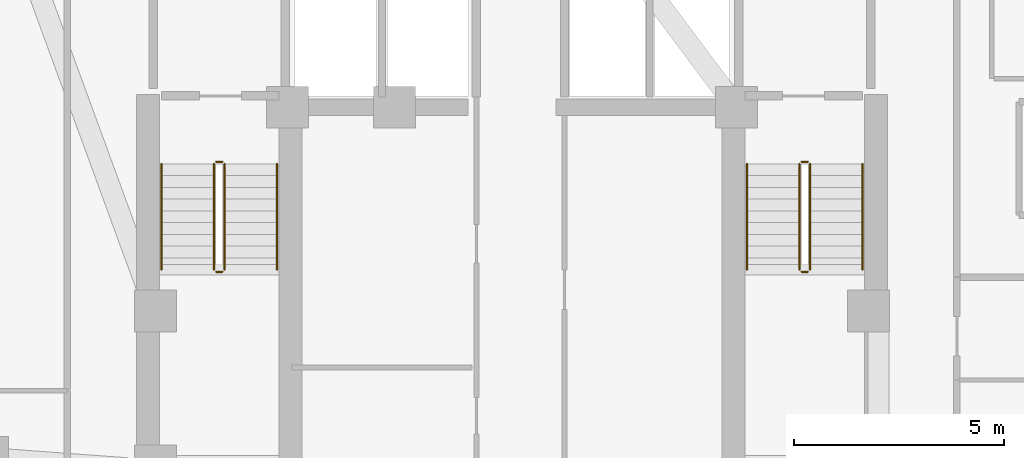
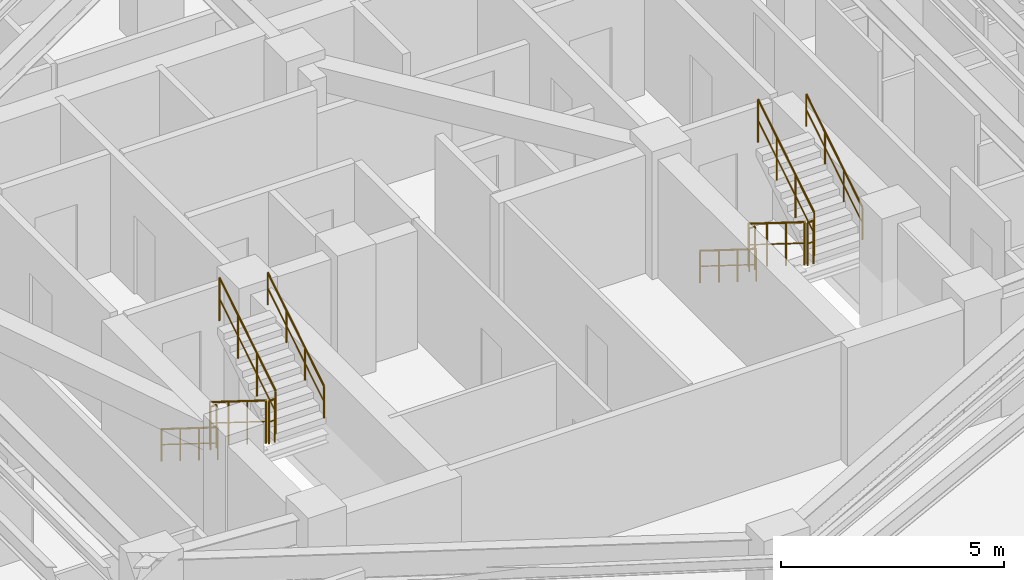
# One storey, part 10 of 10: 12 railings.
"""IFC4 building model written with IfcOpenShell, lengths in metres."""

import ifcopenshell
import ifcopenshell.guid

model = None  # the IFC model being written
_history = None  # IfcOwnerHistory: only IFC2X3 demands one
_inside = {}  # id of a spatial element -> (the spatial element, [elements in it])
_under = {}  # id of a project, library or spatial element -> (it, [spatial elements below it])
_declared = {}  # id of a project -> (the project, [libraries it declares])
_typed = {}  # id of a type object -> (the type object, [elements of that type])
_made_of = {}  # id of a material, layer set ... -> (it, [elements and type objects made of it])


def new_model(schema):
    """Start an empty IFC model of exactly this schema.

    Asked for "IFC4X3", IfcOpenShell would pick the latest addendum, in which some entities
    have other attributes; the version numbers below select the first issue.
    IFC2X3 requires an IfcOwnerHistory on every rooted entity: one is made here for all.
    """
    global model, _history
    if schema == "IFC4X3":
        model = ifcopenshell.file(schema_version=(4, 3, 0, 0))
    else:
        model = ifcopenshell.file(schema=schema)
    _inside.clear()
    _under.clear()
    _declared.clear()
    _typed.clear()
    _made_of.clear()
    _history = None
    if model.schema == "IFC2X3":
        org = make("IfcOrganization", Name="unknown")
        user = make(
            "IfcPersonAndOrganization",
            ThePerson=make("IfcPerson", FamilyName="unknown"),
            TheOrganization=org,
        )
        app = make(
            "IfcApplication",
            ApplicationDeveloper=org,
            Version="unknown",
            ApplicationFullName="unknown",
            ApplicationIdentifier="unknown",
        )
        _history = make(
            "IfcOwnerHistory",
            OwningUser=user,
            OwningApplication=app,
            ChangeAction="ADDED",
            CreationDate=0,
        )
    return model


def make(cls, **values):
    """One entity of the class cls with the attributes given. An attribute that is None is left unset."""
    return model.create_entity(
        cls, **{name: value for name, value in values.items() if value is not None}
    )


def rooted(cls, **values):
    """An entity with a GlobalId (a new one), such as an element, a storey or a relation."""
    return make(cls, GlobalId=ifcopenshell.guid.new(), OwnerHistory=_history, **values)


def si_unit(unit_type, name, prefix=None):
    """IfcSIUnit, for example si_unit("LENGTHUNIT", "METRE", prefix="MILLI")."""
    return make("IfcSIUnit", UnitType=unit_type, Prefix=prefix, Name=name)


def assignment(units):
    """IfcUnitAssignment: the units of a project."""
    return None if units is None else make("IfcUnitAssignment", Units=units)


def point(xyz):
    """IfcCartesianPoint."""
    return None if xyz is None else make("IfcCartesianPoint", Coordinates=xyz)


def direction(xyz):
    """IfcDirection."""
    return None if xyz is None else make("IfcDirection", DirectionRatios=xyz)


def frame(location, z_axis=None, x_axis=None):
    """IfcAxis2Placement3D, a coordinate frame: its origin and axes. An axis left out is left unset."""
    return make(
        "IfcAxis2Placement3D",
        Location=point(location),
        Axis=direction(z_axis),
        RefDirection=direction(x_axis),
    )


def frame_2d(location, x_axis=None):
    """IfcAxis2Placement2D, a coordinate frame in the plane: its origin and x axis."""
    return make(
        "IfcAxis2Placement2D", Location=point(location), RefDirection=direction(x_axis)
    )


def origin():
    """The frame at (0, 0, 0) with its axes left unset."""
    return frame((0.0, 0.0, 0.0))


def origin_2d():
    """The frame at (0, 0) in the plane with its x axis left unset."""
    return frame_2d((0.0, 0.0))


def place(relative_to, where):
    """IfcLocalPlacement: puts the frame where relative to a parent placement (None: the world)."""
    return make(
        "IfcLocalPlacement", PlacementRelTo=relative_to, RelativePlacement=where
    )


def context(
    kind, dimensions, precision=None, world=None, true_north=None, identifier=None
):
    """IfcGeometricRepresentationContext, for example the 3D "Model" context."""
    return make(
        "IfcGeometricRepresentationContext",
        ContextIdentifier=identifier,
        ContextType=kind,
        CoordinateSpaceDimension=dimensions,
        Precision=precision,
        WorldCoordinateSystem=world,
        TrueNorth=true_north,
    )


def subcontext(parent, identifier, kind, view, scale=None):
    """IfcGeometricRepresentationSubContext, for example "Body" below "Model"."""
    return make(
        "IfcGeometricRepresentationSubContext",
        ContextIdentifier=identifier,
        ContextType=kind,
        ParentContext=parent,
        TargetScale=scale,
        TargetView=view,
    )


def project(units=None, contexts=None):
    """IfcProject with its units and contexts."""
    return rooted(
        "IfcProject",
        Name="project",
        RepresentationContexts=contexts,
        UnitsInContext=assignment(units),
    )


def spatial(cls, under=None, at=None, **own):
    """A site, building, storey or space (cls), placed at a placement, below another one or the project."""
    s = rooted(cls, ObjectPlacement=at, **own)
    if under is not None:
        _under.setdefault(under.id(), (under, []))[1].append(s)
    return s


def profile(cls, at=None, kind="AREA", **sizes):
    """A parametric profile (cls). Its sizes go by their IFC names, for example OverallWidth=200.0."""
    return make(cls, ProfileType=kind, Position=at, **sizes)


def circle(**sizes):
    """IfcCircleProfileDef."""
    return profile("IfcCircleProfileDef", **sizes)


def extrude(swept, where, along, depth):
    """IfcExtrudedAreaSolid: the profile swept, set in the frame where, extruded along a direction by depth."""
    return make(
        "IfcExtrudedAreaSolid",
        SweptArea=swept,
        Position=where,
        ExtrudedDirection=direction(along),
        Depth=depth,
    )


def shape(context_of_items, identifier, shape_type, items):
    """IfcShapeRepresentation: the items that make up one representation, for example the "Body"."""
    return make(
        "IfcShapeRepresentation",
        ContextOfItems=context_of_items,
        RepresentationIdentifier=identifier,
        RepresentationType=shape_type,
        Items=items,
    )


def material(Name=None, Category=None):
    """IfcMaterial."""
    return make("IfcMaterial", Name=Name, Category=Category)


def made_of(thing, what):
    """Note that an element or type object is made of a material, layer set ...; save() writes the relation."""
    if what is not None:
        _made_of.setdefault(what.id(), (what, []))[1].append(thing)
    return thing


def type_object(cls, material=None, **own):
    """A type object (cls), such as IfcWallType, which elements share."""
    return made_of(rooted(cls, **own), material)


def element(
    cls,
    number,
    at=None,
    inside=None,
    cuts=None,
    type_object=None,
    material=None,
    context=None,
    identifier="Body",
    shape_type=None,
    held_by="IfcProductDefinitionShape",
    body=None,
    shapes=None,
    **own,
):
    """One element of the class cls, such as IfcWall. Its Tag is "e" and its number.

    at: its placement. inside: the storey or other place that contains it. cuts: it is an
    opening in that element (IfcRelVoidsElement). A single representation is given by context,
    identifier, shape_type and body (its items); several are given by shapes. held_by: the class
    of the entity that holds the representations. save() writes the other relations.
    """
    e = rooted(cls, Tag="e%d" % number, ObjectPlacement=at, **own)
    if body is not None:
        shapes = [shape(context, identifier, shape_type, body)]
    if shapes is not None:
        e.Representation = make(held_by, Representations=shapes)
    if inside is not None:
        _inside.setdefault(inside.id(), (inside, []))[1].append(e)
    if cuts is not None:
        rooted(
            "IfcRelVoidsElement", RelatingBuildingElement=cuts, RelatedOpeningElement=e
        )
    if type_object is not None:
        _typed.setdefault(type_object.id(), (type_object, []))[1].append(e)
    return made_of(e, material)


def aggregate(whole, parts):
    """IfcRelAggregates: a whole, such as a stair, and the parts it consists of."""
    return rooted("IfcRelAggregates", RelatingObject=whole, RelatedObjects=parts)


def save(model, path):
    """Write the relations noted so far, then the file.

    IfcRelAggregates (storeys below a building ...), IfcRelContainedInSpatialStructure (elements
    in a storey), IfcRelDefinesByType, IfcRelAssociatesMaterial and IfcRelDeclares: one each for
    every whole, place, type object, material and project.
    """
    for whole, parts in _under.values():
        aggregate(whole, parts)
    for where, things in _inside.values():
        rooted(
            "IfcRelContainedInSpatialStructure",
            RelatedElements=things,
            RelatingStructure=where,
        )
    for kind, things in _typed.values():
        rooted("IfcRelDefinesByType", RelatedObjects=things, RelatingType=kind)
    for what, things in _made_of.values():
        rooted("IfcRelAssociatesMaterial", RelatedObjects=things, RelatingMaterial=what)
    for by, libraries in _declared.values():
        rooted("IfcRelDeclares", RelatingContext=by, RelatedDefinitions=libraries)
    model.write(path)


model = new_model("IFC4")

# Units and contexts
model_context = context("Model", 3, precision=1e-05, world=origin(), true_north=direction((0.0, 1.0)))
body_context = subcontext(model_context, "Body", "Model", "MODEL_VIEW")
ifc_project = project(units=[si_unit("LENGTHUNIT", "METRE"), si_unit("AREAUNIT", "SQUARE_METRE"), si_unit("VOLUMEUNIT", "CUBIC_METRE"), si_unit("PLANEANGLEUNIT", "RADIAN"), si_unit("MASSUNIT", "GRAM", prefix="KILO")], contexts=[model_context])

# Site, building, storey
site_placement = place(None, origin())
site = spatial("IfcSite", under=ifc_project, at=site_placement, CompositionType="ELEMENT")
building_placement = place(site_placement, origin())
building = spatial("IfcBuilding", under=site, at=building_placement, Name="Miruveldt Soraemaru", CompositionType="ELEMENT")
storey_placement = place(building_placement, frame((0.0, 0.0, 121.39990234375)))
storey = spatial("IfcBuildingStorey", under=building, at=storey_placement, Name="L33", CompositionType="ELEMENT", Elevation=121.39990234375)

# Railings
ifc_material = material(Name="Steel S355 (355 MPa)", Category="steel")
railing_type_1 = type_object("IfcRailingType", Name="RAIL-HR-900", PredefinedType="HANDRAIL", material=ifc_material)
railing_1_placement = place(storey_placement, frame((35.64990234375, 42.699951171875, 0.175048828125)))
element("IfcRailing", 1, at=railing_1_placement, inside=storey, type_object=railing_type_1, Name="L33 ST-1 stair handrail 1", PredefinedType="HANDRAIL", context=body_context, shape_type="SweptSolid", body=[
    extrude(circle(Radius=0.02392578125, at=origin_2d()), frame((0.0, 0.0, 0.8759765625), z_axis=(0.0, -0.848007534815, 0.529984170421), x_axis=(1.0, 0.0, 0.0)), (0.0, 0.0, 1.0), 2.9716796875),
    extrude(circle(Radius=0.01611328125, at=origin_2d()), frame((0.0, 0.0, 0.449951171875), z_axis=(0.0, -0.848007534815, 0.529984170421), x_axis=(1.0, 0.0, 0.0)), (0.0, 0.0, 1.0), 2.9716796875),
    extrude(circle(Radius=0.02099609375, at=origin_2d()), origin(), (0.0, 0.0, 1.0), 0.851806640625),
    extrude(circle(Radius=0.02099609375, at=origin_2d()), frame((0.0, -0.840087890625, 0.52490234375)), (0.0, 0.0, 1.0), 0.851806640625),
    extrude(circle(Radius=0.02099609375, at=origin_2d()), frame((0.0, -1.679931640625, 1.050048828125)), (0.0, 0.0, 1.0), 0.851806640625),
    extrude(circle(Radius=0.02099609375, at=origin_2d()), frame((0.0, -2.52001953125, 1.574951171875)), (0.0, 0.0, 1.0), 0.851806640625),
])
railing_2_placement = place(storey_placement, frame((38.39990234375, 40.179931640625, 1.925048828125)))
element("IfcRailing", 2, at=railing_2_placement, inside=storey, type_object=railing_type_1, Name="L33 ST-1 stair handrail 2", PredefinedType="HANDRAIL", context=body_context, shape_type="SweptSolid", body=[
    extrude(circle(Radius=0.02392578125, at=origin_2d()), frame((0.0, 0.0, 0.8759765625), z_axis=(0.0, 0.848007534815, 0.529984170421), x_axis=(-1.0, 0.0, 0.0)), (0.0, 0.0, 1.0), 2.9716796875),
    extrude(circle(Radius=0.01611328125, at=origin_2d()), frame((0.0, 0.0, 0.449951171875), z_axis=(0.0, 0.848007534815, 0.529984170421), x_axis=(-1.0, 0.0, 0.0)), (0.0, 0.0, 1.0), 2.9716796875),
    extrude(circle(Radius=0.02099609375, at=origin_2d()), origin(), (0.0, 0.0, 1.0), 0.851806640625),
    extrude(circle(Radius=0.02099609375, at=origin_2d()), frame((0.0, 0.840087890625, 0.52490234375)), (0.0, 0.0, 1.0), 0.851806640625),
    extrude(circle(Radius=0.02099609375, at=origin_2d()), frame((0.0, 1.679931640625, 1.050048828125)), (0.0, 0.0, 1.0), 0.851806640625),
    extrude(circle(Radius=0.02099609375, at=origin_2d()), frame((0.0, 2.52001953125, 1.574951171875)), (0.0, 0.0, 1.0), 0.851806640625),
])
railing_3_placement = place(storey_placement, frame((49.60009765625, 42.699951171875, 0.175048828125)))
element("IfcRailing", 3, at=railing_3_placement, inside=storey, type_object=railing_type_1, Name="L33 ST-2 stair handrail 1", PredefinedType="HANDRAIL", context=body_context, shape_type="SweptSolid", body=[
    extrude(circle(Radius=0.02392578125, at=origin_2d()), frame((0.0, 0.0, 0.8759765625), z_axis=(0.0, -0.848007534815, 0.529984170421), x_axis=(1.0, 0.0, 0.0)), (0.0, 0.0, 1.0), 2.9716796875),
    extrude(circle(Radius=0.01611328125, at=origin_2d()), frame((0.0, 0.0, 0.449951171875), z_axis=(0.0, -0.848007534815, 0.529984170421), x_axis=(1.0, 0.0, 0.0)), (0.0, 0.0, 1.0), 2.9716796875),
    extrude(circle(Radius=0.02099609375, at=origin_2d()), origin(), (0.0, 0.0, 1.0), 0.851806640625),
    extrude(circle(Radius=0.02099609375, at=origin_2d()), frame((0.0, -0.840087890625, 0.52490234375)), (0.0, 0.0, 1.0), 0.851806640625),
    extrude(circle(Radius=0.02099609375, at=origin_2d()), frame((0.0, -1.679931640625, 1.050048828125)), (0.0, 0.0, 1.0), 0.851806640625),
    extrude(circle(Radius=0.02099609375, at=origin_2d()), frame((0.0, -2.52001953125, 1.574951171875)), (0.0, 0.0, 1.0), 0.851806640625),
])
railing_4_placement = place(storey_placement, frame((52.35009765625, 40.179931640625, 1.925048828125)))
element("IfcRailing", 4, at=railing_4_placement, inside=storey, type_object=railing_type_1, Name="L33 ST-2 stair handrail 2", PredefinedType="HANDRAIL", context=body_context, shape_type="SweptSolid", body=[
    extrude(circle(Radius=0.02392578125, at=origin_2d()), frame((0.0, 0.0, 0.8759765625), z_axis=(0.0, 0.848007534815, 0.529984170421), x_axis=(-1.0, 0.0, 0.0)), (0.0, 0.0, 1.0), 2.9716796875),
    extrude(circle(Radius=0.01611328125, at=origin_2d()), frame((0.0, 0.0, 0.449951171875), z_axis=(0.0, 0.848007534815, 0.529984170421), x_axis=(-1.0, 0.0, 0.0)), (0.0, 0.0, 1.0), 2.9716796875),
    extrude(circle(Radius=0.02099609375, at=origin_2d()), origin(), (0.0, 0.0, 1.0), 0.851806640625),
    extrude(circle(Radius=0.02099609375, at=origin_2d()), frame((0.0, 0.840087890625, 0.52490234375)), (0.0, 0.0, 1.0), 0.851806640625),
    extrude(circle(Radius=0.02099609375, at=origin_2d()), frame((0.0, 1.679931640625, 1.050048828125)), (0.0, 0.0, 1.0), 0.851806640625),
    extrude(circle(Radius=0.02099609375, at=origin_2d()), frame((0.0, 2.52001953125, 1.574951171875)), (0.0, 0.0, 1.0), 0.851806640625),
])
railing_type_2 = type_object("IfcRailingType", Name="RAIL-STGUARD-1200", PredefinedType="GUARDRAIL", material=ifc_material)
railing_5_placement = place(storey_placement, frame((36.89990234375, 42.699951171875, 0.175048828125)))
element("IfcRailing", 5, at=railing_5_placement, inside=storey, type_object=railing_type_2, Name="L33 ST-1 stair guard 1", PredefinedType="GUARDRAIL", context=body_context, shape_type="SweptSolid", body=[
    extrude(circle(Radius=0.02392578125, at=origin_2d()), frame((0.0, 0.0, 1.17578125), z_axis=(0.0, -0.848007534815, 0.529984170421), x_axis=(1.0, 0.0, 0.0)), (0.0, 0.0, 1.0), 2.9716796875),
    extrude(circle(Radius=0.01611328125, at=origin_2d()), frame((0.0, 0.0, 0.60009765625), z_axis=(0.0, -0.848007534815, 0.529984170421), x_axis=(1.0, 0.0, 0.0)), (0.0, 0.0, 1.0), 2.9716796875),
    extrude(circle(Radius=0.02099609375, at=origin_2d()), origin(), (0.0, 0.0, 1.0), 1.15185546875),
    extrude(circle(Radius=0.02099609375, at=origin_2d()), frame((0.0, -0.840087890625, 0.52490234375)), (0.0, 0.0, 1.0), 1.15185546875),
    extrude(circle(Radius=0.02099609375, at=origin_2d()), frame((0.0, -1.679931640625, 1.050048828125)), (0.0, 0.0, 1.0), 1.15185546875),
    extrude(circle(Radius=0.02099609375, at=origin_2d()), frame((0.0, -2.52001953125, 1.574951171875)), (0.0, 0.0, 1.0), 1.15185546875),
])
railing_6_placement = place(storey_placement, frame((36.949951171875, 40.1298828125, 1.75)))
element("IfcRailing", 6, at=railing_6_placement, inside=storey, type_object=railing_type_2, Name="L33 ST-1 stair guard 2", PredefinedType="GUARDRAIL", context=body_context, shape_type="SweptSolid", body=[
    extrude(circle(Radius=0.02392578125, at=origin_2d()), frame((0.0, 0.0, 1.17578125), z_axis=(1.0, 0.0, 0.0), x_axis=(0.0, 1.0, 0.0)), (0.0, 0.0, 1.0), 0.150146484375),
    extrude(circle(Radius=0.01611328125, at=origin_2d()), frame((0.0, 0.0, 0.60009765625), z_axis=(1.0, 0.0, 0.0), x_axis=(0.0, 1.0, 0.0)), (0.0, 0.0, 1.0), 0.150146484375),
    extrude(circle(Radius=0.02099609375, at=origin_2d()), origin(), (0.0, 0.0, 1.0), 1.15185546875),
    extrude(circle(Radius=0.02099609375, at=origin_2d()), frame((0.150146484375, 0.0, 0.0)), (0.0, 0.0, 1.0), 1.15185546875),
])
railing_7_placement = place(storey_placement, frame((37.14990234375, 40.179931640625, 1.925048828125)))
element("IfcRailing", 7, at=railing_7_placement, inside=storey, type_object=railing_type_2, Name="L33 ST-1 stair guard 3", PredefinedType="GUARDRAIL", context=body_context, shape_type="SweptSolid", body=[
    extrude(circle(Radius=0.02392578125, at=origin_2d()), frame((0.0, 0.0, 1.17578125), z_axis=(0.0, 0.848007534815, 0.529984170421), x_axis=(-1.0, 0.0, 0.0)), (0.0, 0.0, 1.0), 2.9716796875),
    extrude(circle(Radius=0.01611328125, at=origin_2d()), frame((0.0, 0.0, 0.60009765625), z_axis=(0.0, 0.848007534815, 0.529984170421), x_axis=(-1.0, 0.0, 0.0)), (0.0, 0.0, 1.0), 2.9716796875),
    extrude(circle(Radius=0.02099609375, at=origin_2d()), origin(), (0.0, 0.0, 1.0), 1.15185546875),
    extrude(circle(Radius=0.02099609375, at=origin_2d()), frame((0.0, 0.840087890625, 0.52490234375)), (0.0, 0.0, 1.0), 1.15185546875),
    extrude(circle(Radius=0.02099609375, at=origin_2d()), frame((0.0, 1.679931640625, 1.050048828125)), (0.0, 0.0, 1.0), 1.15185546875),
    extrude(circle(Radius=0.02099609375, at=origin_2d()), frame((0.0, 2.52001953125, 1.574951171875)), (0.0, 0.0, 1.0), 1.15185546875),
])
railing_8_placement = place(storey_placement, frame((36.949951171875, 42.75, 0.0)))
element("IfcRailing", 8, at=railing_8_placement, inside=storey, type_object=railing_type_2, Name="L33 ST-1 stair guard 4", PredefinedType="GUARDRAIL", context=body_context, shape_type="SweptSolid", body=[
    extrude(circle(Radius=0.02392578125, at=origin_2d()), frame((0.0, 0.0, 1.17578125), z_axis=(1.0, 0.0, 0.0), x_axis=(0.0, 1.0, 0.0)), (0.0, 0.0, 1.0), 0.150146484375),
    extrude(circle(Radius=0.01611328125, at=origin_2d()), frame((0.0, 0.0, 0.60009765625), z_axis=(1.0, 0.0, 0.0), x_axis=(0.0, 1.0, 0.0)), (0.0, 0.0, 1.0), 0.150146484375),
    extrude(circle(Radius=0.02099609375, at=origin_2d()), origin(), (0.0, 0.0, 1.0), 1.15185546875),
    extrude(circle(Radius=0.02099609375, at=origin_2d()), frame((0.150146484375, 0.0, 0.0)), (0.0, 0.0, 1.0), 1.15185546875),
])
railing_9_placement = place(storey_placement, frame((50.85009765625, 42.699951171875, 0.175048828125)))
element("IfcRailing", 9, at=railing_9_placement, inside=storey, type_object=railing_type_2, Name="L33 ST-2 stair guard 1", PredefinedType="GUARDRAIL", context=body_context, shape_type="SweptSolid", body=[
    extrude(circle(Radius=0.02392578125, at=origin_2d()), frame((0.0, 0.0, 1.17578125), z_axis=(0.0, -0.848007534815, 0.529984170421), x_axis=(1.0, 0.0, 0.0)), (0.0, 0.0, 1.0), 2.9716796875),
    extrude(circle(Radius=0.01611328125, at=origin_2d()), frame((0.0, 0.0, 0.60009765625), z_axis=(0.0, -0.848007534815, 0.529984170421), x_axis=(1.0, 0.0, 0.0)), (0.0, 0.0, 1.0), 2.9716796875),
    extrude(circle(Radius=0.02099609375, at=origin_2d()), origin(), (0.0, 0.0, 1.0), 1.15185546875),
    extrude(circle(Radius=0.02099609375, at=origin_2d()), frame((0.0, -0.840087890625, 0.52490234375)), (0.0, 0.0, 1.0), 1.15185546875),
    extrude(circle(Radius=0.02099609375, at=origin_2d()), frame((0.0, -1.679931640625, 1.050048828125)), (0.0, 0.0, 1.0), 1.15185546875),
    extrude(circle(Radius=0.02099609375, at=origin_2d()), frame((0.0, -2.52001953125, 1.574951171875)), (0.0, 0.0, 1.0), 1.15185546875),
])
railing_10_placement = place(storey_placement, frame((50.89990234375, 40.1298828125, 1.75)))
element("IfcRailing", 10, at=railing_10_placement, inside=storey, type_object=railing_type_2, Name="L33 ST-2 stair guard 2", PredefinedType="GUARDRAIL", context=body_context, shape_type="SweptSolid", body=[
    extrude(circle(Radius=0.02392578125, at=origin_2d()), frame((0.0, 0.0, 1.17578125), z_axis=(1.0, 0.0, 0.0), x_axis=(0.0, 1.0, 0.0)), (0.0, 0.0, 1.0), 0.150146484375),
    extrude(circle(Radius=0.01611328125, at=origin_2d()), frame((0.0, 0.0, 0.60009765625), z_axis=(1.0, 0.0, 0.0), x_axis=(0.0, 1.0, 0.0)), (0.0, 0.0, 1.0), 0.150146484375),
    extrude(circle(Radius=0.02099609375, at=origin_2d()), origin(), (0.0, 0.0, 1.0), 1.15185546875),
    extrude(circle(Radius=0.02099609375, at=origin_2d()), frame((0.150146484375, 0.0, 0.0)), (0.0, 0.0, 1.0), 1.15185546875),
])
railing_11_placement = place(storey_placement, frame((51.10009765625, 40.179931640625, 1.925048828125)))
element("IfcRailing", 11, at=railing_11_placement, inside=storey, type_object=railing_type_2, Name="L33 ST-2 stair guard 3", PredefinedType="GUARDRAIL", context=body_context, shape_type="SweptSolid", body=[
    extrude(circle(Radius=0.02392578125, at=origin_2d()), frame((0.0, 0.0, 1.17578125), z_axis=(0.0, 0.848007534815, 0.529984170421), x_axis=(-1.0, 0.0, 0.0)), (0.0, 0.0, 1.0), 2.9716796875),
    extrude(circle(Radius=0.01611328125, at=origin_2d()), frame((0.0, 0.0, 0.60009765625), z_axis=(0.0, 0.848007534815, 0.529984170421), x_axis=(-1.0, 0.0, 0.0)), (0.0, 0.0, 1.0), 2.9716796875),
    extrude(circle(Radius=0.02099609375, at=origin_2d()), origin(), (0.0, 0.0, 1.0), 1.15185546875),
    extrude(circle(Radius=0.02099609375, at=origin_2d()), frame((0.0, 0.840087890625, 0.52490234375)), (0.0, 0.0, 1.0), 1.15185546875),
    extrude(circle(Radius=0.02099609375, at=origin_2d()), frame((0.0, 1.679931640625, 1.050048828125)), (0.0, 0.0, 1.0), 1.15185546875),
    extrude(circle(Radius=0.02099609375, at=origin_2d()), frame((0.0, 2.52001953125, 1.574951171875)), (0.0, 0.0, 1.0), 1.15185546875),
])
railing_12_placement = place(storey_placement, frame((50.89990234375, 42.75, 0.0)))
element("IfcRailing", 12, at=railing_12_placement, inside=storey, type_object=railing_type_2, Name="L33 ST-2 stair guard 4", PredefinedType="GUARDRAIL", context=body_context, shape_type="SweptSolid", body=[
    extrude(circle(Radius=0.02392578125, at=origin_2d()), frame((0.0, 0.0, 1.17578125), z_axis=(1.0, 0.0, 0.0), x_axis=(0.0, 1.0, 0.0)), (0.0, 0.0, 1.0), 0.150146484375),
    extrude(circle(Radius=0.01611328125, at=origin_2d()), frame((0.0, 0.0, 0.60009765625), z_axis=(1.0, 0.0, 0.0), x_axis=(0.0, 1.0, 0.0)), (0.0, 0.0, 1.0), 0.150146484375),
    extrude(circle(Radius=0.02099609375, at=origin_2d()), origin(), (0.0, 0.0, 1.0), 1.15185546875),
    extrude(circle(Radius=0.02099609375, at=origin_2d()), frame((0.150146484375, 0.0, 0.0)), (0.0, 0.0, 1.0), 1.15185546875),
])

save(model, "model.ifc")
